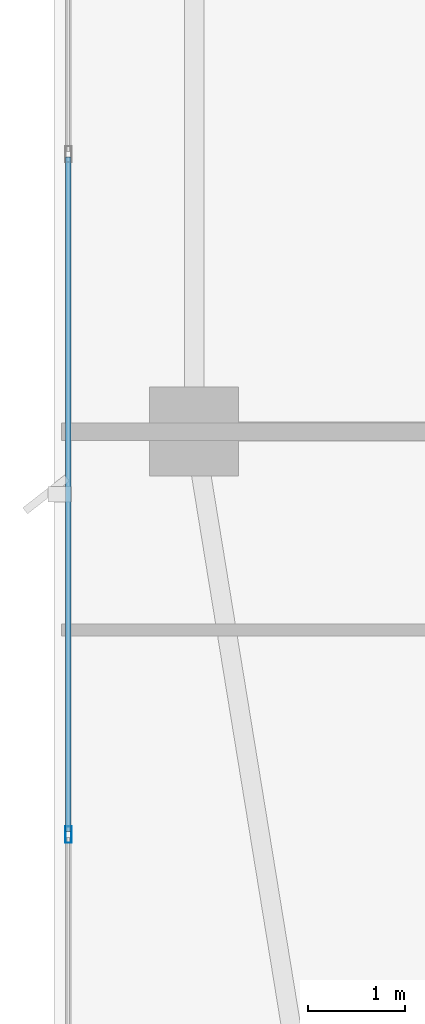
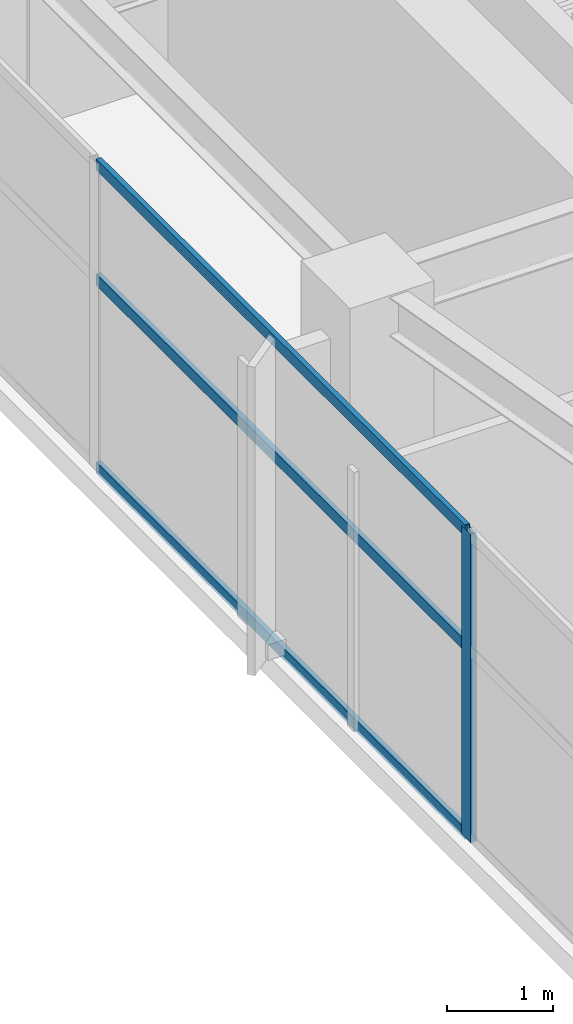
# One storey, part 5 of 27: 4 members, 1 element without a shape of its own.
"""IFC4 building model written with IfcOpenShell, lengths in metres."""

from ifc_helpers import new_model, si_unit, direction, frame, origin, origin_2d, place, context, subcontext, project, spatial, hollow_rectangle, extrude, material, layer, layer_set, material_profile, profile_set, type_object, element, aggregate, save


model = new_model("IFC4")

# Units and contexts
model_context = context("Model", 3, precision=1e-05, world=origin(), true_north=direction((0.0, 1.0)))
body_context = subcontext(model_context, "Body", "Model", "MODEL_VIEW")
ifc_project = project(units=[si_unit("LENGTHUNIT", "METRE"), si_unit("AREAUNIT", "SQUARE_METRE"), si_unit("VOLUMEUNIT", "CUBIC_METRE"), si_unit("PLANEANGLEUNIT", "RADIAN"), si_unit("MASSUNIT", "GRAM", prefix="KILO")], contexts=[model_context])

# Site, building, storey
site_placement = place(None, origin())
site = spatial("IfcSite", under=ifc_project, at=site_placement, CompositionType="ELEMENT")
building_placement = place(site_placement, origin())
building = spatial("IfcBuilding", under=site, at=building_placement, Name="Calvorn Quay Hotel", CompositionType="ELEMENT")
storey_placement = place(building_placement, frame((0.0, 0.0, 294.89990234375)))
storey = spatial("IfcBuildingStorey", under=building, at=storey_placement, Name="L73", CompositionType="ELEMENT", Elevation=294.89990234375)

# Curtain wall, members
ifc_material_1 = material(Name="Champagne Bronze Anodised Aluminium and Low-E Glass", Category="aluminium")
ifc_layer = layer(ifc_material_1, 0.219970703125)
ifc_layer_set = layer_set([ifc_layer], Name="CW-SYS-Z4")
curtain_wall_type = type_object("IfcCurtainWallType", Name="CW-SYS-Z4", PredefinedType="NOTDEFINED", material=ifc_layer_set)
curtain_wall_placement = place(storey_placement, origin())
curtain_wall = element("IfcCurtainWall", 1, at=curtain_wall_placement, inside=storey, type_object=curtain_wall_type, Name="Tower West Curtain Wall (L73)", PredefinedType="NOTDEFINED")
ifc_material_2 = material(Name="Champagne Bronze Anodised Aluminium 6063-T6", Category="aluminium")
ifc_material_profile_1 = material_profile(ifc_material_2, hollow_rectangle(XDim=0.06494140625, YDim=0.169921875, WallThickness=0.00341796875, at=origin_2d()), Name="ALU-M170x65x3.5")
ifc_profile_set_1 = profile_set([ifc_material_profile_1], Name="Champagne Bronze Anodised Aluminium 6063-T6")
member_type_1 = type_object("IfcMemberType", Name="CW-SYS-Z4-MUL", PredefinedType="MULLION", material=ifc_profile_set_1)
member_1_placement = place(storey_placement, frame((0.14990234375, 12.63330078125, 0.0), z_axis=(0.0, 0.0, 1.0), x_axis=(-1.0, 0.0, 0.0)))
member_1 = element("IfcMember", 2, at=member_1_placement, type_object=member_type_1, Name="CW-L73-W mullion 2", PredefinedType="MULLION", context=body_context, shape_type="SweptSolid", body=[
    extrude(hollow_rectangle(XDim=0.06494140625, YDim=0.169921875, WallThickness=0.00341796875, at=origin_2d()), origin(), (0.0, 0.0, 1.0), 3.56005859375),
])
ifc_material_3 = material(Name="Champagne Bronze Anodised Aluminium 6063-T6", Category="aluminium")
ifc_material_profile_2 = material_profile(ifc_material_3, hollow_rectangle(XDim=0.054931640625, YDim=0.1298828125, WallThickness=0.003173828125, at=origin_2d()), Name="ALU-T130x55x3.2")
ifc_profile_set_2 = profile_set([ifc_material_profile_2], Name="Champagne Bronze Anodised Aluminium 6063-T6")
member_type_2 = type_object("IfcMemberType", Name="CW-SYS-Z4-TRN", PredefinedType="USERDEFINED", material=ifc_profile_set_2)
member_2_placement = place(storey_placement, frame((0.14990234375, 12.663330078125, 0.030029296875), z_axis=(0.0, 1.0, 0.0), x_axis=(-1.0, 0.0, 0.0)))
member_2 = element("IfcMember", 3, at=member_2_placement, type_object=member_type_2, Name="CW-L73-W transom 2.1", ObjectType="TRANSOM", PredefinedType="USERDEFINED", context=body_context, shape_type="SweptSolid", body=[
    extrude(hollow_rectangle(XDim=0.054931640625, YDim=0.1298828125, WallThickness=0.003173828125, at=origin_2d()), origin(), (0.0, 0.0, 1.0), 6.973388671875),
])
member_3_placement = place(storey_placement, frame((0.14990234375, 12.663330078125, 2.2001953125), z_axis=(0.0, 1.0, 0.0), x_axis=(-1.0, 0.0, 0.0)))
member_3 = element("IfcMember", 4, at=member_3_placement, type_object=member_type_2, Name="CW-L73-W transom 2.2", ObjectType="TRANSOM", PredefinedType="USERDEFINED", context=body_context, shape_type="SweptSolid", body=[
    extrude(hollow_rectangle(XDim=0.054931640625, YDim=0.1298828125, WallThickness=0.003173828125, at=origin_2d()), origin(), (0.0, 0.0, 1.0), 6.973388671875),
])
member_4_placement = place(storey_placement, frame((0.14990234375, 12.663330078125, 3.530029296875), z_axis=(0.0, 1.0, 0.0), x_axis=(-1.0, 0.0, 0.0)))
member_4 = element("IfcMember", 5, at=member_4_placement, type_object=member_type_2, Name="CW-L73-W transom 2.3", ObjectType="TRANSOM", PredefinedType="USERDEFINED", context=body_context, shape_type="SweptSolid", body=[
    extrude(hollow_rectangle(XDim=0.054931640625, YDim=0.1298828125, WallThickness=0.003173828125, at=origin_2d()), origin(), (0.0, 0.0, 1.0), 6.973388671875),
])
aggregate(curtain_wall, [member_1, member_2, member_3, member_4])

save(model, "model.ifc")
